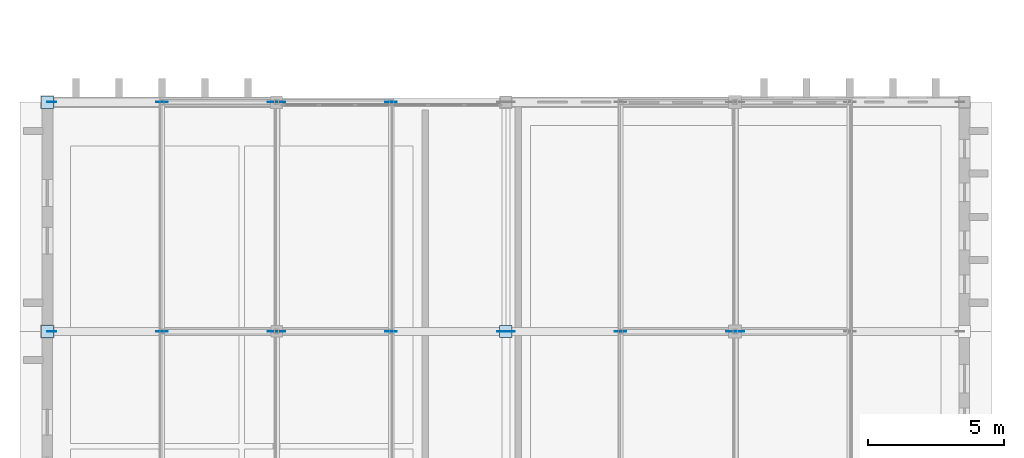
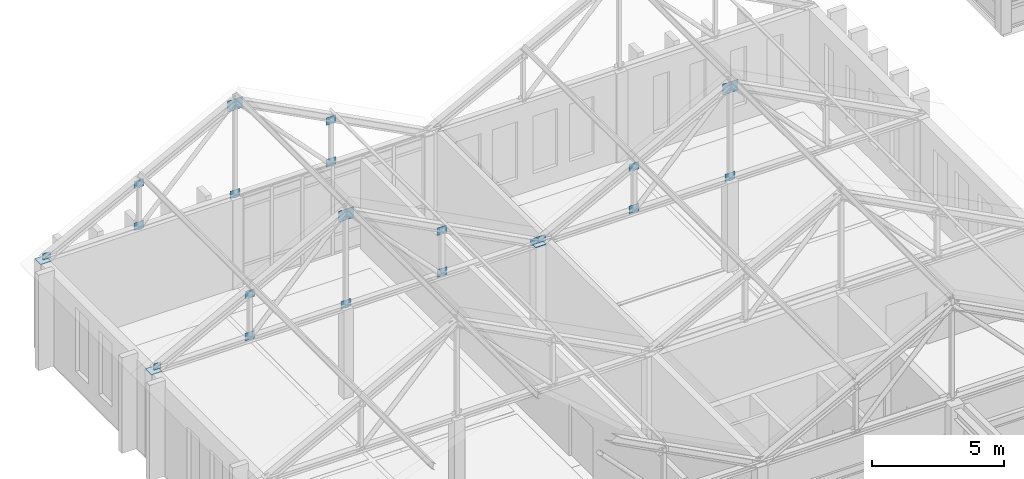
# One storey, part 152 of 192: 23 plates.
"""IFC4 building model written with IfcOpenShell, lengths in metres."""

from ifc_helpers import new_model, si_unit, direction, frame, origin, origin_2d, place, context, subcontext, project, spatial, rectangle, extrude, material, layer, layer_set, type_object, element, save


model = new_model("IFC4")

# Units and contexts
model_context = context("Model", 3, precision=1e-05, world=origin(), true_north=direction((0.0, 1.0)))
body_context = subcontext(model_context, "Body", "Model", "MODEL_VIEW")
ifc_project = project(units=[si_unit("LENGTHUNIT", "METRE"), si_unit("AREAUNIT", "SQUARE_METRE"), si_unit("VOLUMEUNIT", "CUBIC_METRE"), si_unit("PLANEANGLEUNIT", "RADIAN"), si_unit("MASSUNIT", "GRAM", prefix="KILO")], contexts=[model_context])

# Site, building, storey
site_placement = place(None, origin())
site = spatial("IfcSite", under=ifc_project, at=site_placement, CompositionType="ELEMENT")
building_placement = place(site_placement, origin())
building = spatial("IfcBuilding", under=site, at=building_placement, Name="Kveldsbrygga Polytechnic", CompositionType="ELEMENT")
storey_placement = place(building_placement, frame((0.0, 0.0, 5.43994140625)))
storey = spatial("IfcBuildingStorey", under=building, at=storey_placement, Name="L01", CompositionType="ELEMENT", Elevation=5.43994140625)

# Plates
ifc_material = material(Name="Steel S355", Category="steel")
ifc_layer_1 = layer(ifc_material, 0.030029296875)
ifc_layer_set_1 = layer_set([ifc_layer_1], Name="Steel S355")
plate_type_1 = type_object("IfcPlateType", Name="CAP-BEAR-450", PredefinedType="SHEET", material=ifc_layer_set_1)
for number, where, z_axis, x_axis, name in (
    (1, (0.0, 100.800048828125, 4.08984375), (0.0, 0.0, 1.0), (1.0, 0.0, 0.0), "Truss Bearing Plate V1N1-T03-A"),
    (2, (16.800048828125, 100.800048828125, 4.08984375), (0.0, 0.0, 1.0), (1.0, 0.0, 0.0), "Truss Bearing Plate V1N1-T03-B"),
    (3, (0.0, 109.199951171875, 4.08984375), (0.0, 0.0, 1.0), (1.0, 0.0, 0.0), "Truss Bearing Plate V1N1-T04-A"),
):
    element("IfcPlate", number, at=place(storey_placement, frame(where, z_axis=z_axis, x_axis=x_axis)), inside=storey, type_object=plate_type_1, Name=name, PredefinedType="SHEET", context=body_context, shape_type="SweptSolid", body=[
        extrude(rectangle(XDim=0.449951171875, YDim=0.449951171875, at=origin_2d()), origin(), (0.0, 0.0, 1.0), 0.030029296875),
    ])
ifc_layer_2 = layer(ifc_material, 0.02490234375)
ifc_layer_set_2 = layer_set([ifc_layer_2], Name="Steel S355")
plate_type_2 = type_object("IfcPlateType", Name="GUS-APEX-650", PredefinedType="SHEET", material=ifc_layer_set_2)
for number, where, z_axis, x_axis, name in (
    (4, (8.39990234375, 100.800048828125, 8.1201171875), (0.0, 0.0, 1.0), (1.0, 0.0, 0.0), "Truss Gusset Plate V1N1-T03-GP-2"),
    (5, (8.39990234375, 109.199951171875, 8.1201171875), (0.0, 0.0, 1.0), (1.0, 0.0, 0.0), "Truss Gusset Plate V1N1-T04-GP-2"),
    (6, (25.199951171875, 100.800048828125, 8.1201171875), (0.0, 0.0, 1.0), (1.0, 0.0, 0.0), "Truss Gusset Plate V1N2-T03-GP-2"),
):
    element("IfcPlate", number, at=place(storey_placement, frame(where, z_axis=z_axis, x_axis=x_axis)), inside=storey, type_object=plate_type_2, Name=name, PredefinedType="SHEET", context=body_context, shape_type="SweptSolid", body=[
        extrude(rectangle(XDim=0.64990234375, YDim=0.02490234375, at=origin_2d()), origin(), (0.0, 0.0, 1.0), 0.5),
    ])
ifc_layer_3 = layer(ifc_material, 0.01806640625)
ifc_layer_set_3 = layer_set([ifc_layer_3], Name="Steel S355")
plate_type_3 = type_object("IfcPlateType", Name="GUS-BRACE-320", PredefinedType="SHEET", material=ifc_layer_set_3)
for number, where, z_axis, x_axis, name in (
    (7, (0.159912109375, 100.800048828125, 4.080078125), (0.0, 0.0, 1.0), (1.0, 0.0, 0.0), "Truss Eaves Node Gusset V1N1-T03-EGP-A"),
    (8, (16.639892578125, 100.800048828125, 4.080078125), (0.0, 0.0, 1.0), (1.0, 0.0, 0.0), "Truss Eaves Node Gusset V1N1-T03-EGP-B"),
    (9, (0.159912109375, 109.199951171875, 4.080078125), (0.0, 0.0, 1.0), (1.0, 0.0, 0.0), "Truss Eaves Node Gusset V1N1-T04-EGP-A"),
    (10, (16.9599609375, 100.800048828125, 4.080078125), (0.0, 0.0, 1.0), (1.0, 0.0, 0.0), "Truss Eaves Node Gusset V1N2-T03-EGP-A"),
):
    element("IfcPlate", number, at=place(storey_placement, frame(where, z_axis=z_axis, x_axis=x_axis)), inside=storey, type_object=plate_type_3, Name=name, PredefinedType="SHEET", context=body_context, shape_type="SweptSolid", body=[
        extrude(rectangle(XDim=0.320068359375, YDim=0.01806640625, at=origin_2d()), origin(), (0.0, 0.0, 1.0), 0.320068359375),
    ])
ifc_layer_4 = layer(ifc_material, 0.02001953125)
ifc_layer_set_4 = layer_set([ifc_layer_4], Name="Steel S355")
plate_type_4 = type_object("IfcPlateType", Name="GUS-LECT-420", PredefinedType="SHEET", material=ifc_layer_set_4)
for number, where, z_axis, x_axis, name in (
    (11, (4.199951171875, 100.800048828125, 5.9951171875), (0.0, 0.0, 1.0), (1.0, 0.0, 0.0), "Truss Gusset Plate V1N1-T03-GP-1"),
    (12, (4.199951171875, 100.800048828125, 4.06494140625), (0.0, 0.0, 1.0), (1.0, 0.0, 0.0), "Truss Bottom-Chord Node Gusset V1N1-T03-BGP-1"),
    (13, (8.39990234375, 100.800048828125, 4.06494140625), (0.0, 0.0, 1.0), (1.0, 0.0, 0.0), "Truss Bottom-Chord Node Gusset V1N1-T03-BGP-2"),
    (14, (12.60009765625, 100.800048828125, 5.9951171875), (0.0, 0.0, 1.0), (1.0, 0.0, 0.0), "Truss Gusset Plate V1N1-T03-GP-3"),
    (15, (12.60009765625, 100.800048828125, 4.06494140625), (0.0, 0.0, 1.0), (1.0, 0.0, 0.0), "Truss Bottom-Chord Node Gusset V1N1-T03-BGP-3"),
    (16, (4.199951171875, 109.199951171875, 5.9951171875), (0.0, 0.0, 1.0), (1.0, 0.0, 0.0), "Truss Gusset Plate V1N1-T04-GP-1"),
    (17, (4.199951171875, 109.199951171875, 4.06494140625), (0.0, 0.0, 1.0), (1.0, 0.0, 0.0), "Truss Bottom-Chord Node Gusset V1N1-T04-BGP-1"),
    (18, (8.39990234375, 109.199951171875, 4.06494140625), (0.0, 0.0, 1.0), (1.0, 0.0, 0.0), "Truss Bottom-Chord Node Gusset V1N1-T04-BGP-2"),
    (19, (12.60009765625, 109.199951171875, 5.9951171875), (0.0, 0.0, 1.0), (1.0, 0.0, 0.0), "Truss Gusset Plate V1N1-T04-GP-3"),
    (20, (12.60009765625, 109.199951171875, 4.06494140625), (0.0, 0.0, 1.0), (1.0, 0.0, 0.0), "Truss Bottom-Chord Node Gusset V1N1-T04-BGP-3"),
    (21, (21.0, 100.800048828125, 5.9951171875), (0.0, 0.0, 1.0), (1.0, 0.0, 0.0), "Truss Gusset Plate V1N2-T03-GP-1"),
    (22, (21.0, 100.800048828125, 4.06494140625), (0.0, 0.0, 1.0), (1.0, 0.0, 0.0), "Truss Bottom-Chord Node Gusset V1N2-T03-BGP-1"),
    (23, (25.199951171875, 100.800048828125, 4.06494140625), (0.0, 0.0, 1.0), (1.0, 0.0, 0.0), "Truss Bottom-Chord Node Gusset V1N2-T03-BGP-2"),
):
    element("IfcPlate", number, at=place(storey_placement, frame(where, z_axis=z_axis, x_axis=x_axis)), inside=storey, type_object=plate_type_4, Name=name, PredefinedType="SHEET", context=body_context, shape_type="SweptSolid", body=[
        extrude(rectangle(XDim=0.419921875, YDim=0.02001953125, at=origin_2d()), origin(), (0.0, 0.0, 1.0), 0.35009765625),
    ])

save(model, "model.ifc")
